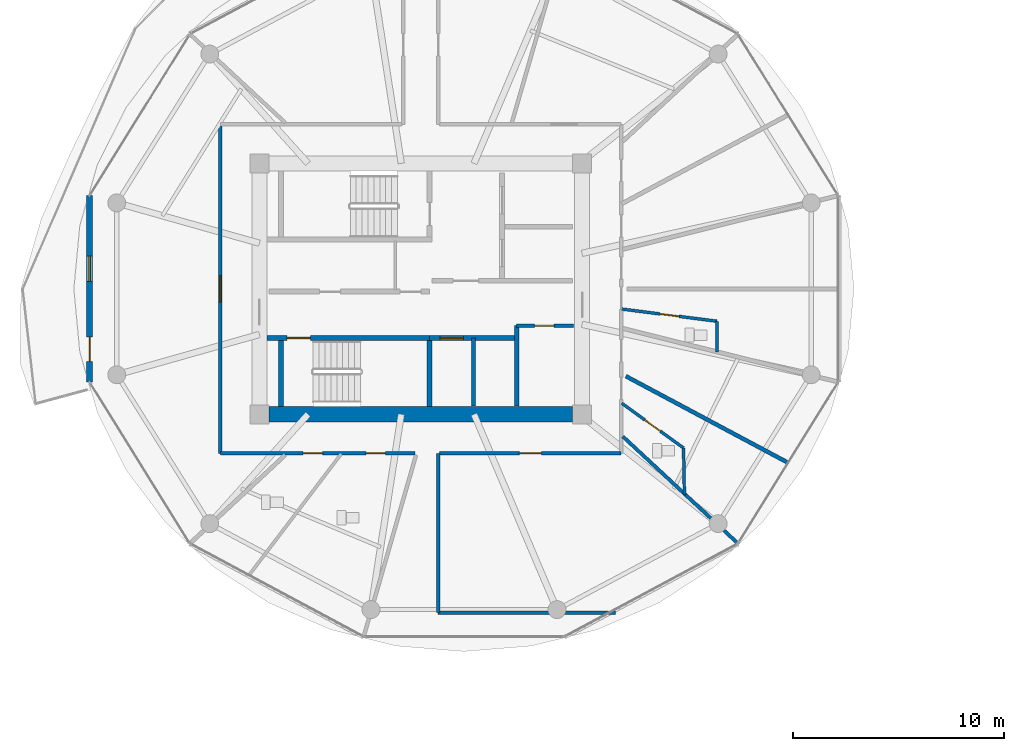
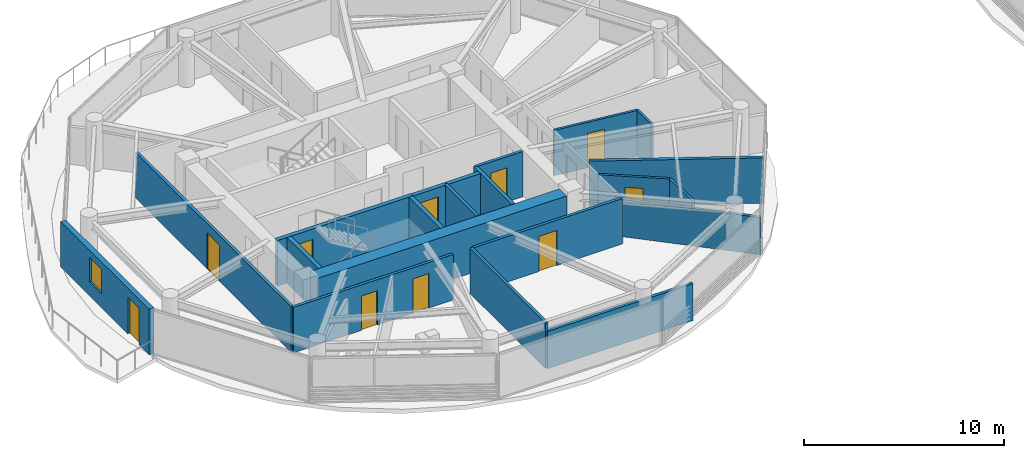
# One storey, part 13 of 25: 20 walls, 10 doors, 1 window, 11 openings.
"""IFC4 building model written with IfcOpenShell, lengths in metres."""

from ifc_helpers import new_model, si_unit, direction, frame, frame_2d, origin, place, context, subcontext, project, spatial, rectangle, extrude, source, transform, mapped, material, layer, layer_set, type_object, type_shapes, element, fill, save


model = new_model("IFC4")

# Units and contexts
model_context = context("Model", 3, precision=1e-05, world=origin(), true_north=direction((0.0, 1.0)))
body_context = subcontext(model_context, "Body", "Model", "MODEL_VIEW")
ifc_project = project(units=[si_unit("LENGTHUNIT", "METRE"), si_unit("AREAUNIT", "SQUARE_METRE"), si_unit("VOLUMEUNIT", "CUBIC_METRE"), si_unit("PLANEANGLEUNIT", "RADIAN"), si_unit("MASSUNIT", "GRAM", prefix="KILO")], contexts=[model_context])

# Site, building, storey
site_placement = place(None, origin())
site = spatial("IfcSite", under=ifc_project, at=site_placement, CompositionType="ELEMENT")
building_placement = place(site_placement, origin())
building = spatial("IfcBuilding", under=site, at=building_placement, Name="Norrkilde Senior Care Towers", CompositionType="ELEMENT")
storey_placement = place(building_placement, frame((0.0, 0.0, 84.050048828125)))
storey = spatial("IfcBuildingStorey", under=building, at=storey_placement, Name="L25", CompositionType="ELEMENT", Elevation=84.050048828125)

# Wall
ifc_material_1 = material(Name="Concrete C60/75", Category="concrete")
ifc_layer_1 = layer(ifc_material_1, 0.719970703125)
ifc_layer_set_1 = layer_set([ifc_layer_1], Name="Concrete C60/75")
wall_type_1 = type_object("IfcWallType", Name="Core Shear Wall Z2 720", PredefinedType="SHEAR", material=ifc_layer_set_1)
shared_shape_1 = source(origin(), body_context, "Body", "SweptSolid", [
    extrude(rectangle(XDim=14.39990234375, YDim=0.719970703125, at=frame_2d((7.199951171875, 0.0))), origin(), (0.0, 0.0, 1.0), 2.7900390625),
])
type_shapes(wall_type_1, [shared_shape_1])
wall_1_placement = place(storey_placement, frame((-20.800048828125, -5.949951171875, 0.0), z_axis=(0.0, 0.0, 1.0), x_axis=(-1.0, 0.0, 0.0)))
element("IfcWall", 1, at=wall_1_placement, inside=storey, type_object=wall_type_1, Name="L25 Core W South Shear Wall", PredefinedType="SHEAR", context=body_context, shape_type="MappedRepresentation", body=[
    mapped(shared_shape_1, transform((0.0, 0.0, 0.0), x_axis=(1.0, 0.0, 0.0), y_axis=(0.0, 1.0, 0.0), z_axis=(0.0, 0.0, 1.0), scale=1.0)),
])

# Wall, openings, door, window
ifc_material_2 = material(Name="Precast concrete C45/55", Category="concrete")
ifc_layer_2 = layer(ifc_material_2, 0.2900390625)
ifc_layer_set_2 = layer_set([ifc_layer_2], Name="Precast concrete C45/55")
wall_type_2 = type_object("IfcWallType", Name="Winter Garden Facade Wall 290", PredefinedType="SOLIDWALL", material=ifc_layer_set_2)
shared_shape_2 = source(origin(), body_context, "Body", "SweptSolid", [
    extrude(rectangle(XDim=8.84130859375, YDim=0.2900390625, at=frame_2d((4.420654296875, 0.0))), origin(), (0.0, 0.0, 1.0), 2.7900390625),
])
type_shapes(wall_type_2, [shared_shape_2])
wall_2_placement = place(storey_placement, frame((-43.70361328125, -4.420654296875, 0.0), z_axis=(0.0, 0.0, 1.0), x_axis=(0.0, 1.0, 0.0)))
wall_2 = element("IfcWall", 2, at=wall_2_placement, inside=storey, type_object=wall_type_2, Name="L25 Drum W Balcony Access Wall 05", PredefinedType="SOLIDWALL", context=body_context, shape_type="MappedRepresentation", body=[
    mapped(shared_shape_2, transform((0.0, 0.0, 0.0), x_axis=(1.0, 0.0, 0.0), y_axis=(0.0, 1.0, 0.0), z_axis=(0.0, 0.0, 1.0), scale=1.0)),
])
opening_1_placement = place(wall_2_placement, frame((0.97998046875, 0.0, 0.0)))
opening_1 = element("IfcOpeningElement", 3, at=opening_1_placement, cuts=wall_2, Name="Opening D-09", PredefinedType="OPENING", context=body_context, shape_type="SweptSolid", body=[
    extrude(rectangle(XDim=1.14990234375, YDim=2.25, at=frame_2d((0.574951171875, 1.125))), frame((0.0, 0.155029296875, 0.0), z_axis=(0.0, -1.0, 0.0), x_axis=(1.0, 0.0, 0.0)), (0.0, 0.0, 1.0), 0.31005859375),
])
opening_2_placement = place(wall_2_placement, frame((4.7705078125, 0.0, 0.85009765625)))
opening_2 = element("IfcOpeningElement", 4, at=opening_2_placement, cuts=wall_2, Name="Opening WN-07", PredefinedType="OPENING", context=body_context, shape_type="SweptSolid", body=[
    extrude(rectangle(XDim=1.199951171875, YDim=1.5, at=frame_2d((0.60009765625, 0.75))), frame((0.0, 0.155029296875, 0.0), z_axis=(0.0, -1.0, 0.0), x_axis=(1.0, 0.0, 0.0)), (0.0, 0.0, 1.0), 0.31005859375),
])
ifc_material_3 = material(Name="Anodised Aluminium", Category="aluminium")
door_type_1 = type_object("IfcDoorType", Name="Terrace and Balcony Glazed Door 1150x2250", OperationType="NOTDEFINED", PredefinedType="DOOR", material=ifc_material_3)
shared_shape_3 = source(origin(), body_context, "Body", "SweptSolid", [
    extrude(rectangle(XDim=1.14990234375, YDim=2.25, at=frame_2d((0.574951171875, 1.125))), frame((0.0, 0.02490234375, 0.0), z_axis=(0.0, -1.0, 0.0), x_axis=(1.0, 0.0, 0.0)), (0.0, 0.0, 1.0), 0.050048828125),
])
type_shapes(door_type_1, [shared_shape_3])
door_1_placement = place(opening_1_placement, origin())
door_1 = element("IfcDoor", 5, at=door_1_placement, inside=storey, type_object=door_type_1, Name="L25 Drum W Outdoor Terrace Door 05", OperationType="SINGLE_SWING_RIGHT", OverallHeight=2.25, OverallWidth=1.14990234375, PredefinedType="DOOR", context=body_context, shape_type="MappedRepresentation", body=[
    mapped(shared_shape_3, transform((0.0, 0.0, 0.0), x_axis=(1.0, 0.0, 0.0), y_axis=(0.0, 1.0, 0.0), z_axis=(0.0, 0.0, 1.0), scale=1.0)),
])
fill(opening_1, door_1)
ifc_material_4 = material(Name="Triple Low-E Insulated Glazing", Category="glass")
window_type = type_object("IfcWindowType", Name="Stairwell Smoke Vent Window 1200x1500", PartitioningType="SINGLE_PANEL", PredefinedType="WINDOW", material=ifc_material_4)
shared_shape_4 = source(origin(), body_context, "Body", "SweptSolid", [
    extrude(rectangle(XDim=1.199951171875, YDim=1.5, at=frame_2d((0.60009765625, 0.75))), frame((0.0, 0.030029296875, 0.0), z_axis=(0.0, -1.0, 0.0), x_axis=(1.0, 0.0, 0.0)), (0.0, 0.0, 1.0), 0.06005859375),
])
type_shapes(window_type, [shared_shape_4])
window_placement = place(opening_2_placement, origin())
window = element("IfcWindow", 6, at=window_placement, inside=storey, type_object=window_type, Name="L25 Drum W Winter Garden Window 05", OverallHeight=1.5, OverallWidth=1.199951171875, PartitioningType="SINGLE_PANEL", PredefinedType="WINDOW", context=body_context, shape_type="MappedRepresentation", body=[
    mapped(shared_shape_4, transform((0.0, 0.0, 0.0), x_axis=(1.0, 0.0, 0.0), y_axis=(0.0, 1.0, 0.0), z_axis=(0.0, 0.0, 1.0), scale=1.0)),
])
fill(opening_2, window)

# Wall
ifc_material_5 = material(Name="Concrete C45/55", Category="concrete")
ifc_layer_3 = layer(ifc_material_5, 0.199951171875)
ifc_layer_set_3 = layer_set([ifc_layer_3], Name="Concrete C45/55")
wall_type_3 = type_object("IfcWallType", Name="Shaft Division and Plant Partition 200", PredefinedType="PARTITIONING", material=ifc_layer_set_3)
shared_shape_5 = source(origin(), body_context, "Body", "SweptSolid", [
    extrude(rectangle(XDim=3.800048828125, YDim=0.199951171875, at=frame_2d((1.89990234375, 0.0))), origin(), (0.0, 0.0, 1.0), 2.77490234375),
])
type_shapes(wall_type_3, [shared_shape_5])
wall_3_placement = place(storey_placement, frame((-23.449951171875, -5.550048828125, 0.0), z_axis=(0.0, 0.0, 1.0), x_axis=(0.0, 1.0, 0.0)))
element("IfcWall", 7, at=wall_3_placement, inside=storey, type_object=wall_type_3, Name="WL-INT-L25-W-PKBE", PredefinedType="PARTITIONING", context=body_context, shape_type="MappedRepresentation", body=[
    mapped(shared_shape_5, transform((0.0, 0.0, 0.0), x_axis=(1.0, 0.0, 0.0), y_axis=(0.0, 1.0, 0.0), z_axis=(0.0, 0.0, 1.0), scale=1.0)),
])

# Wall, opening, door
ifc_layer_4 = layer(ifc_material_5, 0.239990234375)
ifc_layer_set_4 = layer_set([ifc_layer_4], Name="Concrete C45/55")
wall_type_4 = type_object("IfcWallType", Name="Lift and Plant Rated Enclosure Partition 240", PredefinedType="PARTITIONING", material=ifc_layer_set_4)
shared_shape_6 = source(origin(), body_context, "Body", "SweptSolid", [
    extrude(rectangle(XDim=4.130126953125, YDim=0.239990234375, at=frame_2d((2.06494140625, 0.0))), origin(), (0.0, 0.0, 1.0), 2.77490234375),
])
type_shapes(wall_type_4, [shared_shape_6])
wall_4_placement = place(storey_placement, frame((-27.580078125, -2.330078125, 0.0), z_axis=(0.0, 0.0, 1.0), x_axis=(1.0, 0.0, 0.0)))
wall_4 = element("IfcWall", 8, at=wall_4_placement, inside=storey, type_object=wall_type_4, Name="WL-INT-L25-W-PKBN", PredefinedType="PARTITIONING", context=body_context, shape_type="MappedRepresentation", body=[
    mapped(shared_shape_6, transform((0.0, 0.0, 0.0), x_axis=(1.0, 0.0, 0.0), y_axis=(0.0, 1.0, 0.0), z_axis=(0.0, 0.0, 1.0), scale=1.0)),
])
opening_3_placement = place(wall_4_placement, frame((0.5, 0.0, 0.0)))
opening_3 = element("IfcOpeningElement", 9, at=opening_3_placement, cuts=wall_4, Name="Opening LD-01", PredefinedType="OPENING", context=body_context, shape_type="SweptSolid", body=[
    extrude(rectangle(XDim=1.10009765625, YDim=2.199951171875, at=frame_2d((0.550048828125, 1.10009765625))), frame((0.0, 0.1298828125, 0.0), z_axis=(0.0, -1.0, 0.0), x_axis=(1.0, 0.0, 0.0)), (0.0, 0.0, 1.0), 0.260009765625),
])
ifc_material_6 = material(Name="Stainless Steel", Category="steel")
door_type_2 = type_object("IfcDoorType", Name="Lift Landing Sliding Door 1100x2200", OperationType="NOTDEFINED", PredefinedType="DOOR", material=ifc_material_6)
shared_shape_7 = source(origin(), body_context, "Body", "SweptSolid", [
    extrude(rectangle(XDim=1.10009765625, YDim=2.199951171875, at=frame_2d((0.550048828125, 1.10009765625))), frame((0.0, 0.02490234375, 0.0), z_axis=(0.0, -1.0, 0.0), x_axis=(1.0, 0.0, 0.0)), (0.0, 0.0, 1.0), 0.050048828125),
])
type_shapes(door_type_2, [shared_shape_7])
door_2_placement = place(opening_3_placement, frame((1.10009765625, 0.0, 0.0), z_axis=(0.0, 0.0, 1.0), x_axis=(-1.0, 0.0, 0.0)))
door_2 = element("IfcDoor", 10, at=door_2_placement, inside=storey, type_object=door_type_2, Name="L25 Passenger Lift W3 Landing Door", OperationType="SLIDING_TO_LEFT", OverallHeight=2.199951171875, OverallWidth=1.10009765625, PredefinedType="DOOR", context=body_context, shape_type="MappedRepresentation", body=[
    mapped(shared_shape_7, transform((0.0, 0.0, 0.0), x_axis=(1.0, 0.0, 0.0), y_axis=(0.0, 1.0, 0.0), z_axis=(0.0, 0.0, 1.0), scale=1.0)),
])
fill(opening_3, door_2)

# Wall
ifc_layer_5 = layer(ifc_material_5, 0.179931640625)
ifc_layer_set_5 = layer_set([ifc_layer_5], Name="Concrete C45/55")
wall_type_5 = type_object("IfcWallType", Name="Hoistway Division Rated Partition 180", PredefinedType="PARTITIONING", material=ifc_layer_set_5)
shared_shape_8 = source(origin(), body_context, "Body", "SweptSolid", [
    extrude(rectangle(XDim=3.219970703125, YDim=0.179931640625, at=frame_2d((1.60986328125, 0.0))), origin(), (0.0, 0.0, 1.0), 2.77490234375),
])
type_shapes(wall_type_5, [shared_shape_8])
wall_5_placement = place(storey_placement, frame((-25.5, -5.550048828125, 0.0), z_axis=(0.0, 0.0, 1.0), x_axis=(0.0, 1.0, 0.0)))
element("IfcWall", 11, at=wall_5_placement, inside=storey, type_object=wall_type_5, Name="WL-INT-L25-W-PL34", PredefinedType="PARTITIONING", context=body_context, shape_type="MappedRepresentation", body=[
    mapped(shared_shape_8, transform((0.0, 0.0, 0.0), x_axis=(1.0, 0.0, 0.0), y_axis=(0.0, 1.0, 0.0), z_axis=(0.0, 0.0, 1.0), scale=1.0)),
])

# Wall, opening, door
ifc_material_7 = material(Name="Gypsum Acoustic Board")
ifc_layer_6 = layer(ifc_material_7, 0.1650390625)
ifc_layer_set_6 = layer_set([ifc_layer_6], Name="Gypsum Acoustic Board")
wall_type_6 = type_object("IfcWallType", Name="Corridor Rated Partition 165", PredefinedType="PARTITIONING", material=ifc_layer_set_6)
shared_shape_9 = source(origin(), body_context, "Body", "SweptSolid", [
    extrude(rectangle(XDim=2.699951171875, YDim=0.1650390625, at=frame_2d((1.35009765625, 0.0))), origin(), (0.0, 0.0, 1.0), 2.77490234375),
])
wall_6_placement = place(storey_placement, frame((-23.449951171875, -1.75, 0.0), z_axis=(0.0, 0.0, 1.0), x_axis=(1.0, 0.0, 0.0)))
wall_6 = element("IfcWall", 12, at=wall_6_placement, inside=storey, type_object=wall_type_6, Name="WL-INT-L25-W-CSN", PredefinedType="PARTITIONING", context=body_context, shape_type="MappedRepresentation", body=[
    mapped(shared_shape_9, transform((0.0, 0.0, 0.0), x_axis=(1.0, 0.0, 0.0), y_axis=(0.0, 1.0, 0.0), z_axis=(0.0, 0.0, 1.0), scale=1.0)),
])
opening_4_placement = place(wall_6_placement, frame((0.85009765625, 0.0, 0.0)))
opening_4 = element("IfcOpeningElement", 13, at=opening_4_placement, cuts=wall_6, Name="Opening D-12", PredefinedType="OPENING", context=body_context, shape_type="SweptSolid", body=[
    extrude(rectangle(XDim=0.925048828125, YDim=2.10009765625, at=frame_2d((0.46240234375, 1.050048828125))), frame((0.0, 0.092529296875, 0.0), z_axis=(0.0, -1.0, 0.0), x_axis=(1.0, 0.0, 0.0)), (0.0, 0.0, 1.0), 0.18505859375),
])
ifc_material_8 = material(Name="Galvanised Painted Steel", Category="steel")
door_type_3 = type_object("IfcDoorType", Name="Core Wet Room Rated Door 925x2100", OperationType="NOTDEFINED", PredefinedType="DOOR", material=ifc_material_8)
shared_shape_10 = source(origin(), body_context, "Body", "SweptSolid", [
    extrude(rectangle(XDim=0.925048828125, YDim=2.10009765625, at=frame_2d((0.46240234375, 1.050048828125))), frame((0.0, 0.02490234375, 0.0), z_axis=(0.0, -1.0, 0.0), x_axis=(1.0, 0.0, 0.0)), (0.0, 0.0, 1.0), 0.050048828125),
])
type_shapes(door_type_3, [shared_shape_10])
door_3_placement = place(opening_4_placement, origin())
door_3 = element("IfcDoor", 14, at=door_3_placement, inside=storey, type_object=door_type_3, Name="L25 Core Utility W Door", OperationType="SINGLE_SWING_LEFT", OverallHeight=2.10009765625, OverallWidth=0.925048828125, PredefinedType="DOOR", context=body_context, shape_type="MappedRepresentation", body=[
    mapped(shared_shape_10, transform((0.0, 0.0, 0.0), x_axis=(1.0, 0.0, 0.0), y_axis=(0.0, 1.0, 0.0), z_axis=(0.0, 0.0, 1.0), scale=1.0)),
])
fill(opening_4, door_3)

shared_shape_11 = source(origin(), body_context, "Body", "SweptSolid", [
    extrude(rectangle(XDim=15.60009765625, YDim=0.1650390625, at=frame_2d((7.800048828125, 0.0))), origin(), (0.0, 0.0, 1.0), 2.77490234375),
])
wall_7_placement = place(storey_placement, frame((-37.5, -7.800048828125, 0.0), z_axis=(0.0, 0.0, 1.0), x_axis=(0.0, 1.0, 0.0)))
wall_7 = element("IfcWall", 15, at=wall_7_placement, inside=storey, type_object=wall_type_6, Name="WL-INT-L25-W-CRW-W-0", PredefinedType="PARTITIONING", context=body_context, shape_type="MappedRepresentation", body=[
    mapped(shared_shape_11, transform((0.0, 0.0, 0.0), x_axis=(1.0, 0.0, 0.0), y_axis=(0.0, 1.0, 0.0), z_axis=(0.0, 0.0, 1.0), scale=1.0)),
])
opening_5_placement = place(wall_7_placement, frame((7.175048828125, 0.0, 0.0)))
opening_5 = element("IfcOpeningElement", 16, at=opening_5_placement, cuts=wall_7, Name="Opening D-05", PredefinedType="OPENING", context=body_context, shape_type="SweptSolid", body=[
    extrude(rectangle(XDim=1.25, YDim=2.199951171875, at=frame_2d((0.625, 1.10009765625))), frame((0.0, 0.092529296875, 0.0), z_axis=(0.0, -1.0, 0.0), x_axis=(1.0, 0.0, 0.0)), (0.0, 0.0, 1.0), 0.18505859375),
])
ifc_material_9 = material(Name="Nordic Ash Timber", Category="wood")
door_type_4 = type_object("IfcDoorType", Name="Care Bedroom Bariatric Door 1250x2200", OperationType="NOTDEFINED", PredefinedType="DOOR", material=ifc_material_9)
shared_shape_12 = source(origin(), body_context, "Body", "SweptSolid", [
    extrude(rectangle(XDim=1.25, YDim=2.199951171875, at=frame_2d((0.625, 1.10009765625))), frame((0.0, 0.02490234375, 0.0), z_axis=(0.0, -1.0, 0.0), x_axis=(1.0, 0.0, 0.0)), (0.0, 0.0, 1.0), 0.050048828125),
])
type_shapes(door_type_4, [shared_shape_12])
door_4_placement = place(opening_5_placement, frame((1.25, 0.0, 0.0), z_axis=(0.0, 0.0, 1.0), x_axis=(-1.0, 0.0, 0.0)))
door_4 = element("IfcDoor", 17, at=door_4_placement, inside=storey, type_object=door_type_4, Name="L25 Resident Therapeutic Day Lounge Door", OperationType="SINGLE_SWING_LEFT", OverallHeight=2.199951171875, OverallWidth=1.25, PredefinedType="DOOR", context=body_context, shape_type="MappedRepresentation", body=[
    mapped(shared_shape_12, transform((0.0, 0.0, 0.0), x_axis=(1.0, 0.0, 0.0), y_axis=(0.0, 1.0, 0.0), z_axis=(0.0, 0.0, 1.0), scale=1.0)),
])
fill(opening_5, door_4)

ifc_layer_7 = layer(ifc_material_5, 0.239990234375)
ifc_layer_set_7 = layer_set([ifc_layer_7], Name="Concrete C45/55")
wall_type_7 = type_object("IfcWallType", Name="Shaft and Stair Enclosure Wall 240", PredefinedType="PARTITIONING", material=ifc_layer_set_7)
shared_shape_13 = source(origin(), body_context, "Body", "SweptSolid", [
    extrude(rectangle(XDim=7.830078125, YDim=0.239990234375, at=frame_2d((3.9150390625, 0.0))), origin(), (0.0, 0.0, 1.0), 2.7900390625),
])
wall_8_placement = place(storey_placement, frame((-35.2900390625, -2.330078125, 0.0), z_axis=(0.0, 0.0, 1.0), x_axis=(1.0, 0.0, 0.0)))
wall_8 = element("IfcWall", 18, at=wall_8_placement, inside=storey, type_object=wall_type_7, Name="WL-INT-L25-W-ST2N", PredefinedType="PARTITIONING", context=body_context, shape_type="MappedRepresentation", body=[
    mapped(shared_shape_13, transform((0.0, 0.0, 0.0), x_axis=(1.0, 0.0, 0.0), y_axis=(0.0, 1.0, 0.0), z_axis=(0.0, 0.0, 1.0), scale=1.0)),
])
opening_6_placement = place(wall_8_placement, frame((0.949951171875, 0.0, 0.0)))
opening_6 = element("IfcOpeningElement", 19, at=opening_6_placement, cuts=wall_8, Name="Opening D-03", PredefinedType="OPENING", context=body_context, shape_type="SweptSolid", body=[
    extrude(rectangle(XDim=1.10009765625, YDim=2.14990234375, at=frame_2d((0.550048828125, 1.074951171875))), frame((0.0, 0.1298828125, 0.0), z_axis=(0.0, -1.0, 0.0), x_axis=(1.0, 0.0, 0.0)), (0.0, 0.0, 1.0), 0.260009765625),
])
door_type_5 = type_object("IfcDoorType", Name="Stairwell Protected Fire Door 1100x2150", OperationType="NOTDEFINED", PredefinedType="DOOR", material=ifc_material_8)
shared_shape_14 = source(origin(), body_context, "Body", "SweptSolid", [
    extrude(rectangle(XDim=1.10009765625, YDim=2.14990234375, at=frame_2d((0.550048828125, 1.074951171875))), frame((0.0, 0.02490234375, 0.0), z_axis=(0.0, -1.0, 0.0), x_axis=(1.0, 0.0, 0.0)), (0.0, 0.0, 1.0), 0.050048828125),
])
type_shapes(door_type_5, [shared_shape_14])
door_5_placement = place(opening_6_placement, frame((1.10009765625, 0.0, 0.0), z_axis=(0.0, 0.0, 1.0), x_axis=(-1.0, 0.0, 0.0)))
door_5 = element("IfcDoor", 20, at=door_5_placement, inside=storey, type_object=door_type_5, Name="L25 Stair W2 Fire Door", OperationType="SINGLE_SWING_RIGHT", OverallHeight=2.14990234375, OverallWidth=1.10009765625, PredefinedType="DOOR", context=body_context, shape_type="MappedRepresentation", body=[
    mapped(shared_shape_14, transform((0.0, 0.0, 0.0), x_axis=(1.0, 0.0, 0.0), y_axis=(0.0, 1.0, 0.0), z_axis=(0.0, 0.0, 1.0), scale=1.0)),
])
fill(opening_6, door_5)

# Walls
shared_shape_15 = source(origin(), body_context, "Body", "SweptSolid", [
    extrude(rectangle(XDim=3.14013671875, YDim=0.239990234375, at=frame_2d((1.570068359375, 0.0))), origin(), (0.0, 0.0, 1.0), 2.7900390625),
])
type_shapes(wall_type_7, [shared_shape_13, shared_shape_15])
for number, where, z_axis, x_axis, name in (
    (21, (-34.6201171875, -5.590087890625, 0.0), (0.0, 0.0, 1.0), (0.0, 1.0, 0.0), "WL-INT-L25-W-ST2W"),
    (22, (-27.580078125, -5.590087890625, 0.0), (0.0, 0.0, 1.0), (0.0, 1.0, 0.0), "WL-INT-L25-W-ST2E"),
):
    element("IfcWall", number, at=place(storey_placement, frame(where, z_axis=z_axis, x_axis=x_axis)), inside=storey, type_object=wall_type_7, Name=name, PredefinedType="PARTITIONING", context=body_context, shape_type="MappedRepresentation", body=[
        mapped(shared_shape_15, transform((0.0, 0.0, 0.0), x_axis=(1.0, 0.0, 0.0), y_axis=(0.0, 1.0, 0.0), z_axis=(0.0, 0.0, 1.0), scale=1.0)),
    ])

# Wall, opening, door
shared_shape_16 = source(origin(), body_context, "Body", "SweptSolid", [
    extrude(rectangle(XDim=8.60009765625, YDim=0.1650390625, at=frame_2d((4.300048828125, 0.0))), origin(), (0.0, 0.0, 1.0), 2.77490234375),
])
wall_9_placement = place(storey_placement, frame((-18.5, -7.800048828125, 0.0), z_axis=(0.0, 0.0, 1.0), x_axis=(-1.0, 0.0, 0.0)))
wall_9 = element("IfcWall", 23, at=wall_9_placement, inside=storey, type_object=wall_type_6, Name="WL-INT-L25-W-CRW-S-0", PredefinedType="PARTITIONING", context=body_context, shape_type="MappedRepresentation", body=[
    mapped(shared_shape_16, transform((0.0, 0.0, 0.0), x_axis=(1.0, 0.0, 0.0), y_axis=(0.0, 1.0, 0.0), z_axis=(0.0, 0.0, 1.0), scale=1.0)),
])
opening_7_placement = place(wall_9_placement, frame((3.77490234375, 0.0, 0.0)))
opening_7 = element("IfcOpeningElement", 24, at=opening_7_placement, cuts=wall_9, Name="Opening D-06", PredefinedType="OPENING", context=body_context, shape_type="SweptSolid", body=[
    extrude(rectangle(XDim=1.050048828125, YDim=2.14990234375, at=frame_2d((0.52490234375, 1.074951171875))), frame((0.0, 0.092529296875, 0.0), z_axis=(0.0, -1.0, 0.0), x_axis=(1.0, 0.0, 0.0)), (0.0, 0.0, 1.0), 0.18505859375),
])
door_type_6 = type_object("IfcDoorType", Name="Apartment Entrance Fire Door 1050x2150", OperationType="NOTDEFINED", PredefinedType="DOOR", material=ifc_material_9)
shared_shape_17 = source(origin(), body_context, "Body", "SweptSolid", [
    extrude(rectangle(XDim=1.050048828125, YDim=2.14990234375, at=frame_2d((0.52490234375, 1.074951171875))), frame((0.0, 0.02490234375, 0.0), z_axis=(0.0, -1.0, 0.0), x_axis=(1.0, 0.0, 0.0)), (0.0, 0.0, 1.0), 0.050048828125),
])
type_shapes(door_type_6, [shared_shape_17])
door_6_placement = place(opening_7_placement, frame((1.050048828125, 0.0, 0.0), z_axis=(0.0, 0.0, 1.0), x_axis=(-1.0, 0.0, 0.0)))
door_6 = element("IfcDoor", 25, at=door_6_placement, inside=storey, type_object=door_type_6, Name="L25 Reading Lounge SEL Door", OperationType="SINGLE_SWING_RIGHT", OverallHeight=2.14990234375, OverallWidth=1.050048828125, PredefinedType="DOOR", context=body_context, shape_type="MappedRepresentation", body=[
    mapped(shared_shape_17, transform((0.0, 0.0, 0.0), x_axis=(1.0, 0.0, 0.0), y_axis=(0.0, 1.0, 0.0), z_axis=(0.0, 0.0, 1.0), scale=1.0)),
])
fill(opening_7, door_6)

# Wall, openings, doors
shared_shape_18 = source(origin(), body_context, "Body", "SweptSolid", [
    extrude(rectangle(XDim=9.234130859375, YDim=0.1650390625, at=frame_2d((4.6171875, 0.0))), origin(), (0.0, 0.0, 1.0), 2.77490234375),
])
wall_10_placement = place(storey_placement, frame((-28.265869140625, -7.800048828125, 0.0), z_axis=(0.0, 0.0, 1.0), x_axis=(-1.0, 0.0, 0.0)))
wall_10 = element("IfcWall", 26, at=wall_10_placement, inside=storey, type_object=wall_type_6, Name="WL-INT-L25-W-CRW-S-1", PredefinedType="PARTITIONING", context=body_context, shape_type="MappedRepresentation", body=[
    mapped(shared_shape_18, transform((0.0, 0.0, 0.0), x_axis=(1.0, 0.0, 0.0), y_axis=(0.0, 1.0, 0.0), z_axis=(0.0, 0.0, 1.0), scale=1.0)),
])
opening_8_placement = place(wall_10_placement, frame((4.39208984375, 0.0, 0.0)))
opening_8 = element("IfcOpeningElement", 27, at=opening_8_placement, cuts=wall_10, Name="Opening D-08", PredefinedType="OPENING", context=body_context, shape_type="SweptSolid", body=[
    extrude(rectangle(XDim=0.919921875, YDim=2.10009765625, at=frame_2d((0.4599609375, 1.050048828125))), frame((0.0, 0.092529296875, 0.0), z_axis=(0.0, -1.0, 0.0), x_axis=(1.0, 0.0, 0.0)), (0.0, 0.0, 1.0), 0.18505859375),
])
opening_9_placement = place(wall_10_placement, frame((1.407958984375, 0.0, 0.0)))
opening_9 = element("IfcOpeningElement", 28, at=opening_9_placement, cuts=wall_10, Name="Opening D-08", PredefinedType="OPENING", context=body_context, shape_type="SweptSolid", body=[
    extrude(rectangle(XDim=0.919921875, YDim=2.10009765625, at=frame_2d((0.4599609375, 1.050048828125))), frame((0.0, 0.092529296875, 0.0), z_axis=(0.0, -1.0, 0.0), x_axis=(1.0, 0.0, 0.0)), (0.0, 0.0, 1.0), 0.18505859375),
])
door_type_7 = type_object("IfcDoorType", Name="Accessible Wet Room Door 920x2100", OperationType="NOTDEFINED", PredefinedType="DOOR", material=ifc_material_9)
shared_shape_19 = source(origin(), body_context, "Body", "SweptSolid", [
    extrude(rectangle(XDim=0.919921875, YDim=2.10009765625, at=frame_2d((0.4599609375, 1.050048828125))), frame((0.0, 0.02490234375, 0.0), z_axis=(0.0, -1.0, 0.0), x_axis=(1.0, 0.0, 0.0)), (0.0, 0.0, 1.0), 0.050048828125),
])
type_shapes(door_type_7, [shared_shape_19])
door_7_placement = place(opening_8_placement, frame((0.919921875, 0.0, 0.0), z_axis=(0.0, 0.0, 1.0), x_axis=(-1.0, 0.0, 0.0)))
door_7 = element("IfcDoor", 29, at=door_7_placement, inside=storey, type_object=door_type_7, Name="L25 Accessible Restroom Door", OperationType="SINGLE_SWING_RIGHT", OverallHeight=2.10009765625, OverallWidth=0.919921875, PredefinedType="DOOR", context=body_context, shape_type="MappedRepresentation", body=[
    mapped(shared_shape_19, transform((0.0, 0.0, 0.0), x_axis=(1.0, 0.0, 0.0), y_axis=(0.0, 1.0, 0.0), z_axis=(0.0, 0.0, 1.0), scale=1.0)),
])
fill(opening_8, door_7)
door_8_placement = place(opening_9_placement, frame((0.919921875, 0.0, 0.0), z_axis=(0.0, 0.0, 1.0), x_axis=(-1.0, 0.0, 0.0)))
door_8 = element("IfcDoor", 30, at=door_8_placement, inside=storey, type_object=door_type_7, Name="L25 Public Restroom Door", OperationType="SINGLE_SWING_LEFT", OverallHeight=2.10009765625, OverallWidth=0.919921875, PredefinedType="DOOR", context=body_context, shape_type="MappedRepresentation", body=[
    mapped(shared_shape_19, transform((0.0, 0.0, 0.0), x_axis=(1.0, 0.0, 0.0), y_axis=(0.0, 1.0, 0.0), z_axis=(0.0, 0.0, 1.0), scale=1.0)),
])
fill(opening_9, door_8)

# Walls
shared_shape_20 = source(origin(), body_context, "Body", "SweptSolid", [
    extrude(rectangle(XDim=7.482177734375, YDim=0.1650390625, at=frame_2d((3.7412109375, 0.0))), origin(), (0.0, 0.0, 1.0), 2.27490234375),
])
wall_11_placement = place(storey_placement, frame((-18.419921875, -6.998046875, 0.0), z_axis=(0.0, 0.0, 1.0), x_axis=(0.732508698043, -0.680757671489, 0.0)))
element("IfcWall", 31, at=wall_11_placement, inside=storey, type_object=wall_type_6, Name="WL-INT-L25-W-DEM-10-0", PredefinedType="PARTITIONING", context=body_context, shape_type="MappedRepresentation", body=[
    mapped(shared_shape_20, transform((0.0, 0.0, 0.0), x_axis=(1.0, 0.0, 0.0), y_axis=(0.0, 1.0, 0.0), z_axis=(0.0, 0.0, 1.0), scale=1.0)),
])
shared_shape_21 = source(origin(), body_context, "Body", "SweptSolid", [
    extrude(rectangle(XDim=7.56005859375, YDim=0.1650390625, at=frame_2d((3.780029296875, 0.0))), origin(), (0.0, 0.0, 1.0), 2.77490234375),
])
wall_12_placement = place(storey_placement, frame((-27.179931640625, -15.360107421875, 0.0), z_axis=(0.0, 0.0, 1.0), x_axis=(0.0, 1.0, 0.0)))
element("IfcWall", 32, at=wall_12_placement, inside=storey, type_object=wall_type_6, Name="WL-INT-L25-W-PKW-SEL", PredefinedType="PARTITIONING", context=body_context, shape_type="MappedRepresentation", body=[
    mapped(shared_shape_21, transform((0.0, 0.0, 0.0), x_axis=(1.0, 0.0, 0.0), y_axis=(0.0, 1.0, 0.0), z_axis=(0.0, 0.0, 1.0), scale=1.0)),
])
shared_shape_22 = source(origin(), body_context, "Body", "SweptSolid", [
    extrude(rectangle(XDim=8.406982421875, YDim=0.1650390625, at=frame_2d((4.20361328125, 0.0))), origin(), (0.0, 0.0, 1.0), 2.27490234375),
])
type_shapes(wall_type_6, [shared_shape_9, shared_shape_11, shared_shape_16, shared_shape_18, shared_shape_20, shared_shape_21, shared_shape_22])
wall_13_placement = place(storey_placement, frame((-27.179931640625, -15.360107421875, 0.0), z_axis=(0.0, 0.0, 1.0), x_axis=(1.0, 0.0, 0.0)))
element("IfcWall", 33, at=wall_13_placement, inside=storey, type_object=wall_type_6, Name="WL-INT-L25-W-PKH-SEL-0", PredefinedType="PARTITIONING", context=body_context, shape_type="MappedRepresentation", body=[
    mapped(shared_shape_22, transform((0.0, 0.0, 0.0), x_axis=(1.0, 0.0, 0.0), y_axis=(0.0, 1.0, 0.0), z_axis=(0.0, 0.0, 1.0), scale=1.0)),
])
ifc_layer_8 = layer(ifc_material_7, 0.18994140625)
ifc_layer_set_8 = layer_set([ifc_layer_8], Name="Gypsum Acoustic Board")
wall_type_8 = type_object("IfcWallType", Name="Unit Demising Acoustic Wall 190", PredefinedType="PARTITIONING", material=ifc_layer_set_8)
shared_shape_23 = source(origin(), body_context, "Body", "SweptSolid", [
    extrude(rectangle(XDim=8.744384765625, YDim=0.18994140625, at=frame_2d((4.3720703125, 0.0))), origin(), (0.0, 0.0, 1.0), 2.77490234375),
])
type_shapes(wall_type_8, [shared_shape_23])
wall_14_placement = place(storey_placement, frame((-18.27294921875, -4.141845703125, 0.0), z_axis=(0.0, 0.0, 1.0), x_axis=(0.882252449936, -0.470776607938, 0.0)))
element("IfcWall", 34, at=wall_14_placement, inside=storey, type_object=wall_type_8, Name="WL-INT-L25-W-CMID-10", PredefinedType="PARTITIONING", context=body_context, shape_type="MappedRepresentation", body=[
    mapped(shared_shape_23, transform((0.0, 0.0, 0.0), x_axis=(1.0, 0.0, 0.0), y_axis=(0.0, 1.0, 0.0), z_axis=(0.0, 0.0, 1.0), scale=1.0)),
])

# Wall, opening, door
ifc_layer_9 = layer(ifc_material_7, 0.139892578125)
ifc_layer_set_9 = layer_set([ifc_layer_9], Name="Gypsum Acoustic Board")
wall_type_9 = type_object("IfcWallType", Name="En-suite Wet Room Wall 140", PredefinedType="PARTITIONING", material=ifc_layer_set_9)
shared_shape_24 = source(origin(), body_context, "Body", "SweptSolid", [
    extrude(rectangle(XDim=3.621337890625, YDim=0.139892578125, at=frame_2d((1.810546875, 0.0))), origin(), (0.0, 0.0, 1.0), 2.77490234375),
])
wall_15_placement = place(storey_placement, frame((-18.469970703125, -5.421875, 0.0), z_axis=(0.0, 0.0, 1.0), x_axis=(0.80968252222, -0.586868139544, 0.0)))
wall_15 = element("IfcWall", 35, at=wall_15_placement, inside=storey, type_object=wall_type_9, Name="WL-INT-L25-W-ES-10A", PredefinedType="PARTITIONING", context=body_context, shape_type="MappedRepresentation", body=[
    mapped(shared_shape_24, transform((0.0, 0.0, 0.0), x_axis=(1.0, 0.0, 0.0), y_axis=(0.0, 1.0, 0.0), z_axis=(0.0, 0.0, 1.0), scale=1.0)),
])
opening_10_placement = place(wall_15_placement, frame((1.3505859375, 0.0, 0.0)))
opening_10 = element("IfcOpeningElement", 36, at=opening_10_placement, cuts=wall_15, Name="Opening D-08", PredefinedType="OPENING", context=body_context, shape_type="SweptSolid", body=[
    extrude(rectangle(XDim=0.919921875, YDim=2.10009765625, at=frame_2d((0.4599609375, 1.050048828125))), frame((0.0, 0.079833984375, 0.0), z_axis=(0.0, -1.0, 0.0), x_axis=(1.0, 0.0, 0.0)), (0.0, 0.0, 1.0), 0.159912109375),
])
door_9_placement = place(opening_10_placement, origin())
door_9 = element("IfcDoor", 37, at=door_9_placement, inside=storey, type_object=door_type_7, Name="L25 Care Suite 2510A Bathroom Door", OperationType="SINGLE_SWING_RIGHT", OverallHeight=2.10009765625, OverallWidth=0.919921875, PredefinedType="DOOR", context=body_context, shape_type="MappedRepresentation", body=[
    mapped(shared_shape_19, transform((0.0, 0.0, 0.0), x_axis=(1.0, 0.0, 0.0), y_axis=(0.0, 1.0, 0.0), z_axis=(0.0, 0.0, 1.0), scale=1.0)),
])
fill(opening_10, door_9)

# Wall
shared_shape_25 = source(origin(), body_context, "Body", "SweptSolid", [
    extrude(rectangle(XDim=2.224853515625, YDim=0.139892578125, at=frame_2d((1.1123046875, 0.0))), origin(), (0.0, 0.0, 1.0), 2.77490234375),
])
wall_16_placement = place(storey_placement, frame((-15.537841796875, -7.547119140625, 0.0), z_axis=(0.0, 0.0, 1.0), x_axis=(0.019971869027, -0.999800542332, 0.0)))
element("IfcWall", 38, at=wall_16_placement, inside=storey, type_object=wall_type_9, Name="WL-INT-L25-W-EF-10A", PredefinedType="PARTITIONING", context=body_context, shape_type="MappedRepresentation", body=[
    mapped(shared_shape_25, transform((0.0, 0.0, 0.0), x_axis=(1.0, 0.0, 0.0), y_axis=(0.0, 1.0, 0.0), z_axis=(0.0, 0.0, 1.0), scale=1.0)),
])

# Wall, opening, door
shared_shape_26 = source(origin(), body_context, "Body", "SweptSolid", [
    extrude(rectangle(XDim=4.562255859375, YDim=0.139892578125, at=frame_2d((2.28125, 0.0))), origin(), (0.0, 0.0, 1.0), 2.77490234375),
])
wall_17_placement = place(storey_placement, frame((-18.469970703125, -0.95751953125, 0.0), z_axis=(0.0, 0.0, 1.0), x_axis=(0.991904666356, -0.126984774129, 0.0)))
wall_17 = element("IfcWall", 39, at=wall_17_placement, inside=storey, type_object=wall_type_9, Name="WL-INT-L25-W-ES-11A", PredefinedType="PARTITIONING", context=body_context, shape_type="MappedRepresentation", body=[
    mapped(shared_shape_26, transform((0.0, 0.0, 0.0), x_axis=(1.0, 0.0, 0.0), y_axis=(0.0, 1.0, 0.0), z_axis=(0.0, 0.0, 1.0), scale=1.0)),
])
opening_11_placement = place(wall_17_placement, frame((1.8212890625, 0.0, 0.0)))
opening_11 = element("IfcOpeningElement", 40, at=opening_11_placement, cuts=wall_17, Name="Opening D-08", PredefinedType="OPENING", context=body_context, shape_type="SweptSolid", body=[
    extrude(rectangle(XDim=0.919921875, YDim=2.10009765625, at=frame_2d((0.4599609375, 1.050048828125))), frame((0.0, 0.079833984375, 0.0), z_axis=(0.0, -1.0, 0.0), x_axis=(1.0, 0.0, 0.0)), (0.0, 0.0, 1.0), 0.159912109375),
])
door_10_placement = place(opening_11_placement, origin())
door_10 = element("IfcDoor", 41, at=door_10_placement, inside=storey, type_object=door_type_7, Name="L25 Care Suite 2511A Bathroom Door", OperationType="SINGLE_SWING_LEFT", OverallHeight=2.10009765625, OverallWidth=0.919921875, PredefinedType="DOOR", context=body_context, shape_type="MappedRepresentation", body=[
    mapped(shared_shape_19, transform((0.0, 0.0, 0.0), x_axis=(1.0, 0.0, 0.0), y_axis=(0.0, 1.0, 0.0), z_axis=(0.0, 0.0, 1.0), scale=1.0)),
])
fill(opening_11, door_10)

# Wall
shared_shape_27 = source(origin(), body_context, "Body", "SweptSolid", [
    extrude(rectangle(XDim=1.4677734375, YDim=0.139892578125, at=frame_2d((0.73388671875, 0.0))), origin(), (0.0, 0.0, 1.0), 2.77490234375),
])
type_shapes(wall_type_9, [shared_shape_24, shared_shape_25, shared_shape_26, shared_shape_27])
wall_18_placement = place(storey_placement, frame((-13.944580078125, -1.536865234375, 0.0), z_axis=(0.0, 0.0, 1.0), x_axis=(-0.00399198416, -0.999992031999, 0.0)))
element("IfcWall", 42, at=wall_18_placement, inside=storey, type_object=wall_type_9, Name="WL-INT-L25-W-EF-11A", PredefinedType="PARTITIONING", context=body_context, shape_type="MappedRepresentation", body=[
    mapped(shared_shape_27, transform((0.0, 0.0, 0.0), x_axis=(1.0, 0.0, 0.0), y_axis=(0.0, 1.0, 0.0), z_axis=(0.0, 0.0, 1.0), scale=1.0)),
])

save(model, "model.ifc")
